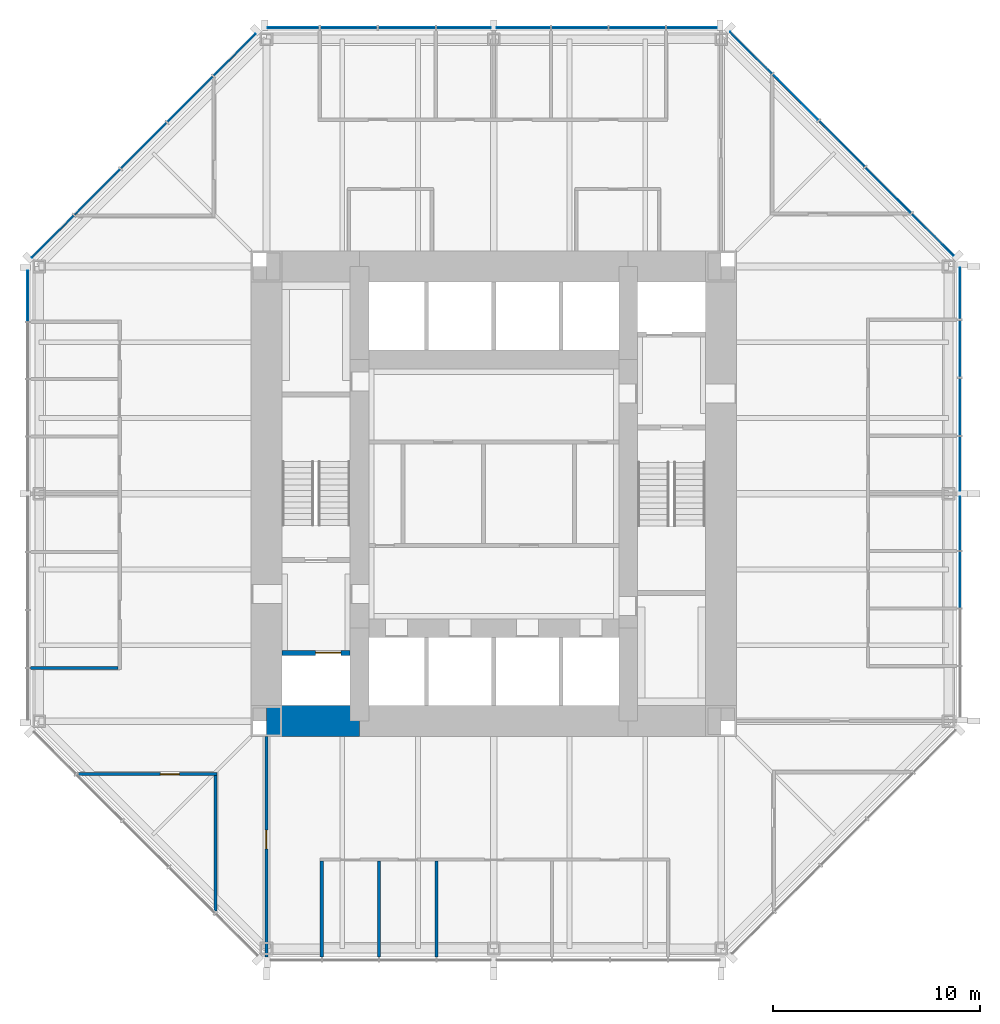
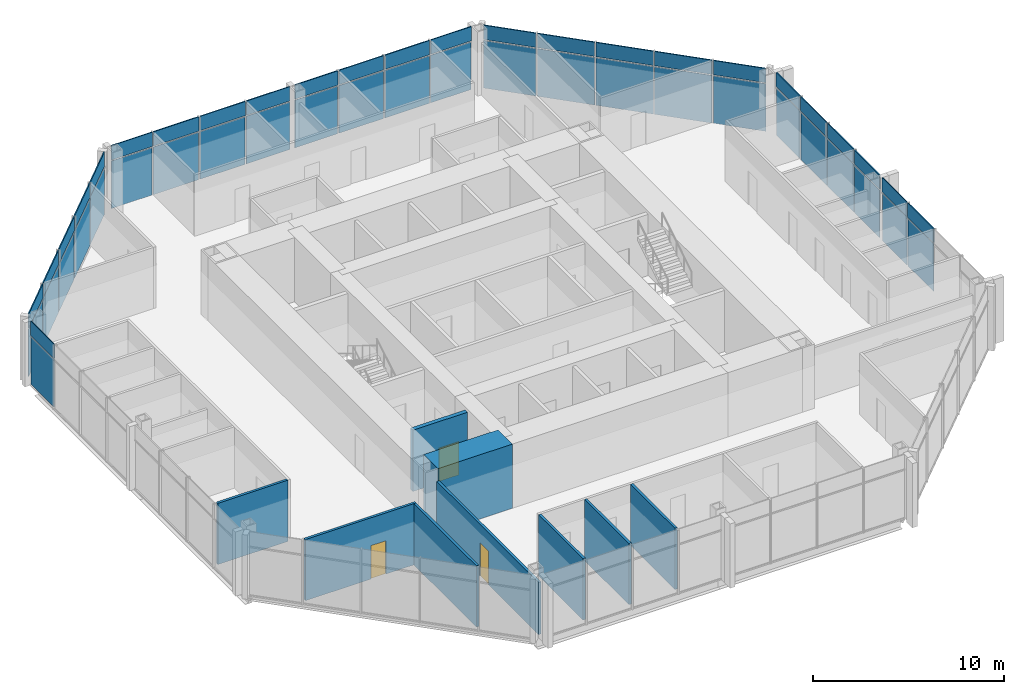
# One storey, part 8 of 12: 50 plates, 9 walls, 3 doors, 3 openings, 5 elements without a shape of their own.
"""IFC4 building model written with IfcOpenShell, lengths in metres."""

from ifc_helpers import new_model, si_unit, direction, frame, frame_2d, origin, origin_2d, place, context, subcontext, project, spatial, rectangle, extrude, material, layer, layer_set, type_object, element, fill, aggregate, save


model = new_model("IFC4")

# Units and contexts
model_context = context("Model", 3, precision=1e-05, world=origin(), true_north=direction((0.0, 1.0)))
body_context = subcontext(model_context, "Body", "Model", "MODEL_VIEW")
ifc_project = project(units=[si_unit("LENGTHUNIT", "METRE"), si_unit("AREAUNIT", "SQUARE_METRE"), si_unit("VOLUMEUNIT", "CUBIC_METRE"), si_unit("PLANEANGLEUNIT", "RADIAN"), si_unit("MASSUNIT", "GRAM", prefix="KILO")], contexts=[model_context])

# Site, building, storey
site_placement = place(None, origin())
site = spatial("IfcSite", under=ifc_project, at=site_placement, CompositionType="ELEMENT")
building_placement = place(site_placement, origin())
building = spatial("IfcBuilding", under=site, at=building_placement, Name="Trevanion Tower", CompositionType="ELEMENT")
storey_placement = place(building_placement, frame((0.0, 0.0, 170.5)))
storey = spatial("IfcBuildingStorey", under=building, at=storey_placement, Name="L40", CompositionType="ELEMENT", Elevation=170.5)

# Curtain wall, plates
ifc_material_1 = material(Name="Aluminium and glass", Category="aluminium")
curtain_wall_type = type_object("IfcCurtainWallType", Name="CW2 curtain wall", PredefinedType="USERDEFINED", material=ifc_material_1)
curtain_wall_1_placement = place(storey_placement, origin())
curtain_wall_1 = element("IfcCurtainWall", 1, at=curtain_wall_1_placement, inside=storey, type_object=curtain_wall_type, Name="CW2 L40 0", ObjectType="UNITISED CURTAIN WALL", PredefinedType="USERDEFINED")
ifc_material_2 = material(Name="Aluminium spandrel panel", Category="aluminium")
ifc_layer_1 = layer(ifc_material_2, 0.06005859375)
ifc_layer_set_1 = layer_set([ifc_layer_1], Name="CW2 spandrel panel")
plate_type_1 = type_object("IfcPlateType", Name="CW2 spandrel panel", PredefinedType="CURTAIN_PANEL", material=ifc_layer_set_1)
plate_1_placement = place(storey_placement, frame((22.550048828125, -4.16162109375, 2.99755859375), z_axis=(0.0, 0.0, 1.0), x_axis=(0.0, 1.0, 0.0)))
plate_1 = element("IfcPlate", 2, at=plate_1_placement, type_object=plate_type_1, Name="CW2 panel 3.2", PredefinedType="CURTAIN_PANEL", context=body_context, shape_type="SweptSolid", body=[
    extrude(rectangle(XDim=2.699462890625, YDim=0.06005859375, at=origin_2d()), origin(), (0.0, 0.0, 1.0), 0.91259765625),
])
plate_2_placement = place(storey_placement, frame((22.550048828125, -1.443603515625, 2.99755859375), z_axis=(0.0, 0.0, 1.0), x_axis=(0.0, 1.0, 0.0)))
plate_2 = element("IfcPlate", 3, at=plate_2_placement, type_object=plate_type_1, Name="CW2 panel 4.2", PredefinedType="CURTAIN_PANEL", context=body_context, shape_type="SweptSolid", body=[
    extrude(rectangle(XDim=2.5869140625, YDim=0.06005859375, at=origin_2d()), origin(), (0.0, 0.0, 1.0), 0.91259765625),
])
plate_3_placement = place(storey_placement, frame((22.550048828125, 1.459716796875, 2.99755859375), z_axis=(0.0, 0.0, 1.0), x_axis=(0.0, 1.0, 0.0)))
plate_3 = element("IfcPlate", 4, at=plate_3_placement, type_object=plate_type_1, Name="CW2 panel 5.2", PredefinedType="CURTAIN_PANEL", context=body_context, shape_type="SweptSolid", body=[
    extrude(rectangle(XDim=2.619384765625, YDim=0.06005859375, at=origin_2d()), origin(), (0.0, 0.0, 1.0), 0.91259765625),
])
plate_4_placement = place(storey_placement, frame((22.550048828125, 4.21044921875, 2.99755859375), z_axis=(0.0, 0.0, 1.0), x_axis=(0.0, 1.0, 0.0)))
plate_4 = element("IfcPlate", 5, at=plate_4_placement, type_object=plate_type_1, Name="CW2 panel 6.2", PredefinedType="CURTAIN_PANEL", context=body_context, shape_type="SweptSolid", body=[
    extrude(rectangle(XDim=2.73193359375, YDim=0.06005859375, at=origin_2d()), origin(), (0.0, 0.0, 1.0), 0.91259765625),
])
plate_5_placement = place(storey_placement, frame((22.550048828125, 7.017333984375, 2.99755859375), z_axis=(0.0, 0.0, 1.0), x_axis=(0.0, 1.0, 0.0)))
plate_5 = element("IfcPlate", 6, at=plate_5_placement, type_object=plate_type_1, Name="CW2 panel 7.2", PredefinedType="CURTAIN_PANEL", context=body_context, shape_type="SweptSolid", body=[
    extrude(rectangle(XDim=2.73193359375, YDim=0.06005859375, at=origin_2d()), origin(), (0.0, 0.0, 1.0), 0.91259765625),
])
plate_6_placement = place(storey_placement, frame((22.550048828125, 9.693115234375, 2.99755859375), z_axis=(0.0, 0.0, 1.0), x_axis=(0.0, 1.0, 0.0)))
plate_6 = element("IfcPlate", 7, at=plate_6_placement, type_object=plate_type_1, Name="CW2 panel 8.2", PredefinedType="CURTAIN_PANEL", context=body_context, shape_type="SweptSolid", body=[
    extrude(rectangle(XDim=2.469482421875, YDim=0.06005859375, at=origin_2d()), origin(), (0.0, 0.0, 1.0), 0.91259765625),
])

curtain_wall_2_placement = place(storey_placement, origin())
curtain_wall_2 = element("IfcCurtainWall", 8, at=curtain_wall_2_placement, inside=storey, type_object=curtain_wall_type, Name="CW2 L40 1", ObjectType="UNITISED CURTAIN WALL", PredefinedType="USERDEFINED")
plate_7_placement = place(storey_placement, frame((21.2421875, 12.53564453125, 2.99755859375), z_axis=(0.0, 0.0, 1.0), x_axis=(-0.707106781187, 0.707106781187, 0.0)))
plate_7 = element("IfcPlate", 9, at=plate_7_placement, type_object=plate_type_1, Name="CW2 panel 1.2", PredefinedType="CURTAIN_PANEL", context=body_context, shape_type="SweptSolid", body=[
    extrude(rectangle(XDim=2.8388671875, YDim=0.06005859375, at=origin_2d()), origin(), (0.0, 0.0, 1.0), 0.91259765625),
])
plate_8_placement = place(storey_placement, frame((19.089111328125, 14.688720703125, 2.99755859375), z_axis=(0.0, 0.0, 1.0), x_axis=(-0.707106781187, 0.707106781187, 0.0)))
plate_8 = element("IfcPlate", 10, at=plate_8_placement, type_object=plate_type_1, Name="CW2 panel 2.2", PredefinedType="CURTAIN_PANEL", context=body_context, shape_type="SweptSolid", body=[
    extrude(rectangle(XDim=3.101318359375, YDim=0.06005859375, at=origin_2d()), origin(), (0.0, 0.0, 1.0), 0.91259765625),
])
plate_9_placement = place(storey_placement, frame((16.843017578125, 16.934814453125, 2.99755859375), z_axis=(0.0, 0.0, 1.0), x_axis=(-0.707106781187, 0.707106781187, 0.0)))
plate_9 = element("IfcPlate", 11, at=plate_9_placement, type_object=plate_type_1, Name="CW2 panel 3.2", PredefinedType="CURTAIN_PANEL", context=body_context, shape_type="SweptSolid", body=[
    extrude(rectangle(XDim=3.101318359375, YDim=0.06005859375, at=origin_2d()), origin(), (0.0, 0.0, 1.0), 0.91259765625),
])
plate_10_placement = place(storey_placement, frame((14.596923828125, 19.180908203125, 2.99755859375), z_axis=(0.0, 0.0, 1.0), x_axis=(-0.707106781187, 0.707106781187, 0.0)))
plate_10 = element("IfcPlate", 12, at=plate_10_placement, type_object=plate_type_1, Name="CW2 panel 4.2", PredefinedType="CURTAIN_PANEL", context=body_context, shape_type="SweptSolid", body=[
    extrude(rectangle(XDim=3.101318359375, YDim=0.06005859375, at=origin_2d()), origin(), (0.0, 0.0, 1.0), 0.91259765625),
])
plate_11_placement = place(storey_placement, frame((12.443603515625, 21.334228515625, 2.99755859375), z_axis=(0.0, 0.0, 1.0), x_axis=(-0.707106781187, 0.707106781187, 0.0)))
plate_11 = element("IfcPlate", 13, at=plate_11_placement, type_object=plate_type_1, Name="CW2 panel 5.2", PredefinedType="CURTAIN_PANEL", context=body_context, shape_type="SweptSolid", body=[
    extrude(rectangle(XDim=2.8388671875, YDim=0.06005859375, at=origin_2d()), origin(), (0.0, 0.0, 1.0), 0.91259765625),
])

curtain_wall_3_placement = place(storey_placement, origin())
curtain_wall_3 = element("IfcCurtainWall", 14, at=curtain_wall_3_placement, inside=storey, type_object=curtain_wall_type, Name="CW2 L40 2", ObjectType="UNITISED CURTAIN WALL", PredefinedType="USERDEFINED")
plate_12_placement = place(storey_placement, frame((9.579345703125, 22.550048828125, 2.99755859375), z_axis=(0.0, 0.0, 1.0), x_axis=(-1.0, 0.0, 0.0)))
plate_12 = element("IfcPlate", 15, at=plate_12_placement, type_object=plate_type_1, Name="CW2 panel 1.2", PredefinedType="CURTAIN_PANEL", context=body_context, shape_type="SweptSolid", body=[
    extrude(rectangle(XDim=2.43701171875, YDim=0.06005859375, at=origin_2d()), origin(), (0.0, 0.0, 1.0), 0.91259765625),
])
plate_13_placement = place(storey_placement, frame((6.93603515625, 22.550048828125, 2.99755859375), z_axis=(0.0, 0.0, 1.0), x_axis=(-1.0, 0.0, 0.0)))
plate_13 = element("IfcPlate", 16, at=plate_13_placement, type_object=plate_type_1, Name="CW2 panel 2.2", PredefinedType="CURTAIN_PANEL", context=body_context, shape_type="SweptSolid", body=[
    extrude(rectangle(XDim=2.699462890625, YDim=0.06005859375, at=origin_2d()), origin(), (0.0, 0.0, 1.0), 0.91259765625),
])
plate_14_placement = place(storey_placement, frame((4.16162109375, 22.550048828125, 2.99755859375), z_axis=(0.0, 0.0, 1.0), x_axis=(-1.0, 0.0, 0.0)))
plate_14 = element("IfcPlate", 17, at=plate_14_placement, type_object=plate_type_1, Name="CW2 panel 3.2", PredefinedType="CURTAIN_PANEL", context=body_context, shape_type="SweptSolid", body=[
    extrude(rectangle(XDim=2.699462890625, YDim=0.06005859375, at=origin_2d()), origin(), (0.0, 0.0, 1.0), 0.91259765625),
])
plate_15_placement = place(storey_placement, frame((1.443603515625, 22.550048828125, 2.99755859375), z_axis=(0.0, 0.0, 1.0), x_axis=(-1.0, 0.0, 0.0)))
plate_15 = element("IfcPlate", 18, at=plate_15_placement, type_object=plate_type_1, Name="CW2 panel 4.2", PredefinedType="CURTAIN_PANEL", context=body_context, shape_type="SweptSolid", body=[
    extrude(rectangle(XDim=2.5869140625, YDim=0.06005859375, at=origin_2d()), origin(), (0.0, 0.0, 1.0), 0.91259765625),
])
plate_16_placement = place(storey_placement, frame((-1.459716796875, 22.550048828125, 2.99755859375), z_axis=(0.0, 0.0, 1.0), x_axis=(-1.0, 0.0, 0.0)))
plate_16 = element("IfcPlate", 19, at=plate_16_placement, type_object=plate_type_1, Name="CW2 panel 5.2", PredefinedType="CURTAIN_PANEL", context=body_context, shape_type="SweptSolid", body=[
    extrude(rectangle(XDim=2.619384765625, YDim=0.06005859375, at=origin_2d()), origin(), (0.0, 0.0, 1.0), 0.91259765625),
])
plate_17_placement = place(storey_placement, frame((-4.21044921875, 22.550048828125, 2.99755859375), z_axis=(0.0, 0.0, 1.0), x_axis=(-1.0, 0.0, 0.0)))
plate_17 = element("IfcPlate", 20, at=plate_17_placement, type_object=plate_type_1, Name="CW2 panel 6.2", PredefinedType="CURTAIN_PANEL", context=body_context, shape_type="SweptSolid", body=[
    extrude(rectangle(XDim=2.73193359375, YDim=0.06005859375, at=origin_2d()), origin(), (0.0, 0.0, 1.0), 0.91259765625),
])
plate_18_placement = place(storey_placement, frame((-7.017333984375, 22.550048828125, 2.99755859375), z_axis=(0.0, 0.0, 1.0), x_axis=(-1.0, 0.0, 0.0)))
plate_18 = element("IfcPlate", 21, at=plate_18_placement, type_object=plate_type_1, Name="CW2 panel 7.2", PredefinedType="CURTAIN_PANEL", context=body_context, shape_type="SweptSolid", body=[
    extrude(rectangle(XDim=2.73193359375, YDim=0.06005859375, at=origin_2d()), origin(), (0.0, 0.0, 1.0), 0.91259765625),
])
plate_19_placement = place(storey_placement, frame((-9.693115234375, 22.550048828125, 2.99755859375), z_axis=(0.0, 0.0, 1.0), x_axis=(-1.0, 0.0, 0.0)))
plate_19 = element("IfcPlate", 22, at=plate_19_placement, type_object=plate_type_1, Name="CW2 panel 8.2", PredefinedType="CURTAIN_PANEL", context=body_context, shape_type="SweptSolid", body=[
    extrude(rectangle(XDim=2.469482421875, YDim=0.06005859375, at=origin_2d()), origin(), (0.0, 0.0, 1.0), 0.91259765625),
])

curtain_wall_4_placement = place(storey_placement, origin())
curtain_wall_4 = element("IfcCurtainWall", 23, at=curtain_wall_4_placement, inside=storey, type_object=curtain_wall_type, Name="CW2 L40 3", ObjectType="UNITISED CURTAIN WALL", PredefinedType="USERDEFINED")
plate_20_placement = place(storey_placement, frame((-12.53564453125, 21.2421875, 2.99755859375), z_axis=(0.0, 0.0, 1.0), x_axis=(-0.707106781187, -0.707106781187, 0.0)))
plate_20 = element("IfcPlate", 24, at=plate_20_placement, type_object=plate_type_1, Name="CW2 panel 1.2", PredefinedType="CURTAIN_PANEL", context=body_context, shape_type="SweptSolid", body=[
    extrude(rectangle(XDim=2.8388671875, YDim=0.06005859375, at=origin_2d()), origin(), (0.0, 0.0, 1.0), 0.91259765625),
])
plate_21_placement = place(storey_placement, frame((-14.688720703125, 19.089111328125, 2.99755859375), z_axis=(0.0, 0.0, 1.0), x_axis=(-0.707106781187, -0.707106781187, 0.0)))
plate_21 = element("IfcPlate", 25, at=plate_21_placement, type_object=plate_type_1, Name="CW2 panel 2.2", PredefinedType="CURTAIN_PANEL", context=body_context, shape_type="SweptSolid", body=[
    extrude(rectangle(XDim=3.101318359375, YDim=0.06005859375, at=origin_2d()), origin(), (0.0, 0.0, 1.0), 0.91259765625),
])
plate_22_placement = place(storey_placement, frame((-16.934814453125, 16.843017578125, 2.99755859375), z_axis=(0.0, 0.0, 1.0), x_axis=(-0.707106781187, -0.707106781187, 0.0)))
plate_22 = element("IfcPlate", 26, at=plate_22_placement, type_object=plate_type_1, Name="CW2 panel 3.2", PredefinedType="CURTAIN_PANEL", context=body_context, shape_type="SweptSolid", body=[
    extrude(rectangle(XDim=3.101318359375, YDim=0.06005859375, at=origin_2d()), origin(), (0.0, 0.0, 1.0), 0.91259765625),
])
plate_23_placement = place(storey_placement, frame((-19.180908203125, 14.596923828125, 2.99755859375), z_axis=(0.0, 0.0, 1.0), x_axis=(-0.707106781187, -0.707106781187, 0.0)))
plate_23 = element("IfcPlate", 27, at=plate_23_placement, type_object=plate_type_1, Name="CW2 panel 4.2", PredefinedType="CURTAIN_PANEL", context=body_context, shape_type="SweptSolid", body=[
    extrude(rectangle(XDim=3.101318359375, YDim=0.06005859375, at=origin_2d()), origin(), (0.0, 0.0, 1.0), 0.91259765625),
])
plate_24_placement = place(storey_placement, frame((-21.334228515625, 12.443603515625, 2.99755859375), z_axis=(0.0, 0.0, 1.0), x_axis=(-0.707106781187, -0.707106781187, 0.0)))
plate_24 = element("IfcPlate", 28, at=plate_24_placement, type_object=plate_type_1, Name="CW2 panel 5.2", PredefinedType="CURTAIN_PANEL", context=body_context, shape_type="SweptSolid", body=[
    extrude(rectangle(XDim=2.8388671875, YDim=0.06005859375, at=origin_2d()), origin(), (0.0, 0.0, 1.0), 0.91259765625),
])

# Curtain wall, plate
curtain_wall_5_placement = place(storey_placement, origin())
curtain_wall_5 = element("IfcCurtainWall", 29, at=curtain_wall_5_placement, inside=storey, type_object=curtain_wall_type, Name="CW2 L40 4", ObjectType="UNITISED CURTAIN WALL", PredefinedType="USERDEFINED")
plate_25_placement = place(storey_placement, frame((-22.550048828125, 9.579345703125, 2.99755859375), z_axis=(0.0, 0.0, 1.0), x_axis=(0.0, -1.0, 0.0)))
plate_25 = element("IfcPlate", 30, at=plate_25_placement, type_object=plate_type_1, Name="CW2 panel 1.2", PredefinedType="CURTAIN_PANEL", context=body_context, shape_type="SweptSolid", body=[
    extrude(rectangle(XDim=2.43701171875, YDim=0.06005859375, at=origin_2d()), origin(), (0.0, 0.0, 1.0), 0.91259765625),
])

# Plate
ifc_material_3 = material(Name="Insulating glass unit", Category="glass")
ifc_layer_2 = layer(ifc_material_3, 0.028076171875)
ifc_layer_set_2 = layer_set([ifc_layer_2], Name="CW2 vision panel")
plate_type_2 = type_object("IfcPlateType", Name="CW2 vision panel", PredefinedType="CURTAIN_PANEL", material=ifc_layer_set_2)
plate_26_placement = place(storey_placement, frame((22.550048828125, -4.16162109375, -0.114990234375), z_axis=(0.0, 0.0, 1.0), x_axis=(0.0, 1.0, 0.0)))
plate_26 = element("IfcPlate", 31, at=plate_26_placement, type_object=plate_type_2, Name="CW2 panel 3.1", PredefinedType="CURTAIN_PANEL", context=body_context, shape_type="SweptSolid", body=[
    extrude(rectangle(XDim=2.699462890625, YDim=0.028076171875, at=origin_2d()), origin(), (0.0, 0.0, 1.0), 3.03759765625),
])

plate_27_placement = place(storey_placement, frame((22.550048828125, -1.443603515625, -0.114990234375), z_axis=(0.0, 0.0, 1.0), x_axis=(0.0, 1.0, 0.0)))
plate_27 = element("IfcPlate", 32, at=plate_27_placement, type_object=plate_type_2, Name="CW2 panel 4.1", PredefinedType="CURTAIN_PANEL", context=body_context, shape_type="SweptSolid", body=[
    extrude(rectangle(XDim=2.5869140625, YDim=0.028076171875, at=origin_2d()), origin(), (0.0, 0.0, 1.0), 3.03759765625),
])

plate_28_placement = place(storey_placement, frame((22.550048828125, 1.459716796875, -0.114990234375), z_axis=(0.0, 0.0, 1.0), x_axis=(0.0, 1.0, 0.0)))
plate_28 = element("IfcPlate", 33, at=plate_28_placement, type_object=plate_type_2, Name="CW2 panel 5.1", PredefinedType="CURTAIN_PANEL", context=body_context, shape_type="SweptSolid", body=[
    extrude(rectangle(XDim=2.619384765625, YDim=0.028076171875, at=origin_2d()), origin(), (0.0, 0.0, 1.0), 3.03759765625),
])

plate_29_placement = place(storey_placement, frame((22.550048828125, 4.21044921875, -0.114990234375), z_axis=(0.0, 0.0, 1.0), x_axis=(0.0, 1.0, 0.0)))
plate_29 = element("IfcPlate", 34, at=plate_29_placement, type_object=plate_type_2, Name="CW2 panel 6.1", PredefinedType="CURTAIN_PANEL", context=body_context, shape_type="SweptSolid", body=[
    extrude(rectangle(XDim=2.73193359375, YDim=0.028076171875, at=origin_2d()), origin(), (0.0, 0.0, 1.0), 3.03759765625),
])

plate_30_placement = place(storey_placement, frame((22.550048828125, 7.017333984375, -0.114990234375), z_axis=(0.0, 0.0, 1.0), x_axis=(0.0, 1.0, 0.0)))
plate_30 = element("IfcPlate", 35, at=plate_30_placement, type_object=plate_type_2, Name="CW2 panel 7.1", PredefinedType="CURTAIN_PANEL", context=body_context, shape_type="SweptSolid", body=[
    extrude(rectangle(XDim=2.73193359375, YDim=0.028076171875, at=origin_2d()), origin(), (0.0, 0.0, 1.0), 3.03759765625),
])

plate_31_placement = place(storey_placement, frame((22.550048828125, 9.693115234375, -0.114990234375), z_axis=(0.0, 0.0, 1.0), x_axis=(0.0, 1.0, 0.0)))
plate_31 = element("IfcPlate", 36, at=plate_31_placement, type_object=plate_type_2, Name="CW2 panel 8.1", PredefinedType="CURTAIN_PANEL", context=body_context, shape_type="SweptSolid", body=[
    extrude(rectangle(XDim=2.469482421875, YDim=0.028076171875, at=origin_2d()), origin(), (0.0, 0.0, 1.0), 3.03759765625),
])

aggregate(curtain_wall_1, [plate_26, plate_1, plate_27, plate_2, plate_28, plate_3, plate_29, plate_4, plate_30, plate_5, plate_31, plate_6])

plate_32_placement = place(storey_placement, frame((21.2421875, 12.53564453125, -0.114990234375), z_axis=(0.0, 0.0, 1.0), x_axis=(-0.707106781187, 0.707106781187, 0.0)))
plate_32 = element("IfcPlate", 37, at=plate_32_placement, type_object=plate_type_2, Name="CW2 panel 1.1", PredefinedType="CURTAIN_PANEL", context=body_context, shape_type="SweptSolid", body=[
    extrude(rectangle(XDim=2.8388671875, YDim=0.028076171875, at=origin_2d()), origin(), (0.0, 0.0, 1.0), 3.03759765625),
])

plate_33_placement = place(storey_placement, frame((19.089111328125, 14.688720703125, -0.114990234375), z_axis=(0.0, 0.0, 1.0), x_axis=(-0.707106781187, 0.707106781187, 0.0)))
plate_33 = element("IfcPlate", 38, at=plate_33_placement, type_object=plate_type_2, Name="CW2 panel 2.1", PredefinedType="CURTAIN_PANEL", context=body_context, shape_type="SweptSolid", body=[
    extrude(rectangle(XDim=3.101318359375, YDim=0.028076171875, at=origin_2d()), origin(), (0.0, 0.0, 1.0), 3.03759765625),
])

plate_34_placement = place(storey_placement, frame((16.843017578125, 16.934814453125, -0.114990234375), z_axis=(0.0, 0.0, 1.0), x_axis=(-0.707106781187, 0.707106781187, 0.0)))
plate_34 = element("IfcPlate", 39, at=plate_34_placement, type_object=plate_type_2, Name="CW2 panel 3.1", PredefinedType="CURTAIN_PANEL", context=body_context, shape_type="SweptSolid", body=[
    extrude(rectangle(XDim=3.101318359375, YDim=0.028076171875, at=origin_2d()), origin(), (0.0, 0.0, 1.0), 3.03759765625),
])

plate_35_placement = place(storey_placement, frame((14.596923828125, 19.180908203125, -0.114990234375), z_axis=(0.0, 0.0, 1.0), x_axis=(-0.707106781187, 0.707106781187, 0.0)))
plate_35 = element("IfcPlate", 40, at=plate_35_placement, type_object=plate_type_2, Name="CW2 panel 4.1", PredefinedType="CURTAIN_PANEL", context=body_context, shape_type="SweptSolid", body=[
    extrude(rectangle(XDim=3.101318359375, YDim=0.028076171875, at=origin_2d()), origin(), (0.0, 0.0, 1.0), 3.03759765625),
])

plate_36_placement = place(storey_placement, frame((12.443603515625, 21.334228515625, -0.114990234375), z_axis=(0.0, 0.0, 1.0), x_axis=(-0.707106781187, 0.707106781187, 0.0)))
plate_36 = element("IfcPlate", 41, at=plate_36_placement, type_object=plate_type_2, Name="CW2 panel 5.1", PredefinedType="CURTAIN_PANEL", context=body_context, shape_type="SweptSolid", body=[
    extrude(rectangle(XDim=2.8388671875, YDim=0.028076171875, at=origin_2d()), origin(), (0.0, 0.0, 1.0), 3.03759765625),
])

aggregate(curtain_wall_2, [plate_32, plate_7, plate_33, plate_8, plate_34, plate_9, plate_35, plate_10, plate_36, plate_11])

plate_37_placement = place(storey_placement, frame((9.579345703125, 22.550048828125, -0.114990234375), z_axis=(0.0, 0.0, 1.0), x_axis=(-1.0, 0.0, 0.0)))
plate_37 = element("IfcPlate", 42, at=plate_37_placement, type_object=plate_type_2, Name="CW2 panel 1.1", PredefinedType="CURTAIN_PANEL", context=body_context, shape_type="SweptSolid", body=[
    extrude(rectangle(XDim=2.43701171875, YDim=0.028076171875, at=origin_2d()), origin(), (0.0, 0.0, 1.0), 3.03759765625),
])

plate_38_placement = place(storey_placement, frame((6.93603515625, 22.550048828125, -0.114990234375), z_axis=(0.0, 0.0, 1.0), x_axis=(-1.0, 0.0, 0.0)))
plate_38 = element("IfcPlate", 43, at=plate_38_placement, type_object=plate_type_2, Name="CW2 panel 2.1", PredefinedType="CURTAIN_PANEL", context=body_context, shape_type="SweptSolid", body=[
    extrude(rectangle(XDim=2.699462890625, YDim=0.028076171875, at=origin_2d()), origin(), (0.0, 0.0, 1.0), 3.03759765625),
])

plate_39_placement = place(storey_placement, frame((4.16162109375, 22.550048828125, -0.114990234375), z_axis=(0.0, 0.0, 1.0), x_axis=(-1.0, 0.0, 0.0)))
plate_39 = element("IfcPlate", 44, at=plate_39_placement, type_object=plate_type_2, Name="CW2 panel 3.1", PredefinedType="CURTAIN_PANEL", context=body_context, shape_type="SweptSolid", body=[
    extrude(rectangle(XDim=2.699462890625, YDim=0.028076171875, at=origin_2d()), origin(), (0.0, 0.0, 1.0), 3.03759765625),
])

plate_40_placement = place(storey_placement, frame((1.443603515625, 22.550048828125, -0.114990234375), z_axis=(0.0, 0.0, 1.0), x_axis=(-1.0, 0.0, 0.0)))
plate_40 = element("IfcPlate", 45, at=plate_40_placement, type_object=plate_type_2, Name="CW2 panel 4.1", PredefinedType="CURTAIN_PANEL", context=body_context, shape_type="SweptSolid", body=[
    extrude(rectangle(XDim=2.5869140625, YDim=0.028076171875, at=origin_2d()), origin(), (0.0, 0.0, 1.0), 3.03759765625),
])

plate_41_placement = place(storey_placement, frame((-1.459716796875, 22.550048828125, -0.114990234375), z_axis=(0.0, 0.0, 1.0), x_axis=(-1.0, 0.0, 0.0)))
plate_41 = element("IfcPlate", 46, at=plate_41_placement, type_object=plate_type_2, Name="CW2 panel 5.1", PredefinedType="CURTAIN_PANEL", context=body_context, shape_type="SweptSolid", body=[
    extrude(rectangle(XDim=2.619384765625, YDim=0.028076171875, at=origin_2d()), origin(), (0.0, 0.0, 1.0), 3.03759765625),
])

plate_42_placement = place(storey_placement, frame((-4.21044921875, 22.550048828125, -0.114990234375), z_axis=(0.0, 0.0, 1.0), x_axis=(-1.0, 0.0, 0.0)))
plate_42 = element("IfcPlate", 47, at=plate_42_placement, type_object=plate_type_2, Name="CW2 panel 6.1", PredefinedType="CURTAIN_PANEL", context=body_context, shape_type="SweptSolid", body=[
    extrude(rectangle(XDim=2.73193359375, YDim=0.028076171875, at=origin_2d()), origin(), (0.0, 0.0, 1.0), 3.03759765625),
])

plate_43_placement = place(storey_placement, frame((-7.017333984375, 22.550048828125, -0.114990234375), z_axis=(0.0, 0.0, 1.0), x_axis=(-1.0, 0.0, 0.0)))
plate_43 = element("IfcPlate", 48, at=plate_43_placement, type_object=plate_type_2, Name="CW2 panel 7.1", PredefinedType="CURTAIN_PANEL", context=body_context, shape_type="SweptSolid", body=[
    extrude(rectangle(XDim=2.73193359375, YDim=0.028076171875, at=origin_2d()), origin(), (0.0, 0.0, 1.0), 3.03759765625),
])

plate_44_placement = place(storey_placement, frame((-9.693115234375, 22.550048828125, -0.114990234375), z_axis=(0.0, 0.0, 1.0), x_axis=(-1.0, 0.0, 0.0)))
plate_44 = element("IfcPlate", 49, at=plate_44_placement, type_object=plate_type_2, Name="CW2 panel 8.1", PredefinedType="CURTAIN_PANEL", context=body_context, shape_type="SweptSolid", body=[
    extrude(rectangle(XDim=2.469482421875, YDim=0.028076171875, at=origin_2d()), origin(), (0.0, 0.0, 1.0), 3.03759765625),
])

aggregate(curtain_wall_3, [plate_37, plate_12, plate_38, plate_13, plate_39, plate_14, plate_40, plate_15, plate_41, plate_16, plate_42, plate_17, plate_43, plate_18, plate_44, plate_19])

plate_45_placement = place(storey_placement, frame((-12.53564453125, 21.2421875, -0.114990234375), z_axis=(0.0, 0.0, 1.0), x_axis=(-0.707106781187, -0.707106781187, 0.0)))
plate_45 = element("IfcPlate", 50, at=plate_45_placement, type_object=plate_type_2, Name="CW2 panel 1.1", PredefinedType="CURTAIN_PANEL", context=body_context, shape_type="SweptSolid", body=[
    extrude(rectangle(XDim=2.8388671875, YDim=0.028076171875, at=origin_2d()), origin(), (0.0, 0.0, 1.0), 3.03759765625),
])

plate_46_placement = place(storey_placement, frame((-14.688720703125, 19.089111328125, -0.114990234375), z_axis=(0.0, 0.0, 1.0), x_axis=(-0.707106781187, -0.707106781187, 0.0)))
plate_46 = element("IfcPlate", 51, at=plate_46_placement, type_object=plate_type_2, Name="CW2 panel 2.1", PredefinedType="CURTAIN_PANEL", context=body_context, shape_type="SweptSolid", body=[
    extrude(rectangle(XDim=3.101318359375, YDim=0.028076171875, at=origin_2d()), origin(), (0.0, 0.0, 1.0), 3.03759765625),
])

plate_47_placement = place(storey_placement, frame((-16.934814453125, 16.843017578125, -0.114990234375), z_axis=(0.0, 0.0, 1.0), x_axis=(-0.707106781187, -0.707106781187, 0.0)))
plate_47 = element("IfcPlate", 52, at=plate_47_placement, type_object=plate_type_2, Name="CW2 panel 3.1", PredefinedType="CURTAIN_PANEL", context=body_context, shape_type="SweptSolid", body=[
    extrude(rectangle(XDim=3.101318359375, YDim=0.028076171875, at=origin_2d()), origin(), (0.0, 0.0, 1.0), 3.03759765625),
])

plate_48_placement = place(storey_placement, frame((-19.180908203125, 14.596923828125, -0.114990234375), z_axis=(0.0, 0.0, 1.0), x_axis=(-0.707106781187, -0.707106781187, 0.0)))
plate_48 = element("IfcPlate", 53, at=plate_48_placement, type_object=plate_type_2, Name="CW2 panel 4.1", PredefinedType="CURTAIN_PANEL", context=body_context, shape_type="SweptSolid", body=[
    extrude(rectangle(XDim=3.101318359375, YDim=0.028076171875, at=origin_2d()), origin(), (0.0, 0.0, 1.0), 3.03759765625),
])

plate_49_placement = place(storey_placement, frame((-21.334228515625, 12.443603515625, -0.114990234375), z_axis=(0.0, 0.0, 1.0), x_axis=(-0.707106781187, -0.707106781187, 0.0)))
plate_49 = element("IfcPlate", 54, at=plate_49_placement, type_object=plate_type_2, Name="CW2 panel 5.1", PredefinedType="CURTAIN_PANEL", context=body_context, shape_type="SweptSolid", body=[
    extrude(rectangle(XDim=2.8388671875, YDim=0.028076171875, at=origin_2d()), origin(), (0.0, 0.0, 1.0), 3.03759765625),
])

aggregate(curtain_wall_4, [plate_45, plate_20, plate_46, plate_21, plate_47, plate_22, plate_48, plate_23, plate_49, plate_24])

plate_50_placement = place(storey_placement, frame((-22.550048828125, 9.579345703125, -0.114990234375), z_axis=(0.0, 0.0, 1.0), x_axis=(0.0, -1.0, 0.0)))
plate_50 = element("IfcPlate", 55, at=plate_50_placement, type_object=plate_type_2, Name="CW2 panel 1.1", PredefinedType="CURTAIN_PANEL", context=body_context, shape_type="SweptSolid", body=[
    extrude(rectangle(XDim=2.43701171875, YDim=0.028076171875, at=origin_2d()), origin(), (0.0, 0.0, 1.0), 3.03759765625),
])

aggregate(curtain_wall_5, [plate_50, plate_25])

# Wall
ifc_material_4 = material(Name="Concrete 10,000 psi", Category="concrete")
ifc_layer_3 = layer(ifc_material_4, 1.5)
ifc_layer_set_3 = layer_set([ifc_layer_3], Name="CW1 core wall 1500")
wall_type_1 = type_object("IfcWallType", Name="CW1 core wall 1500", PredefinedType="SHEAR", material=ifc_layer_set_3)
wall_1_placement = place(storey_placement, frame((-11.0, -11.0, 0.0), z_axis=(0.0, 0.0, 1.0), x_axis=(1.0, 0.0, 0.0)))
element("IfcWall", 56, at=wall_1_placement, inside=storey, type_object=wall_type_1, Name="CW1 CS1 L40", PredefinedType="SHEAR", context=body_context, shape_type="SweptSolid", body=[
    extrude(rectangle(XDim=4.5, YDim=1.5, at=frame_2d((2.25, 0.0))), origin(), (0.0, 0.0, 1.0), 4.10009765625),
])

# Wall, opening, door
ifc_material_5 = material(Name="Gypsum board on steel studs", Category="steel")
ifc_layer_4 = layer(ifc_material_5, 0.14990234375)
ifc_layer_set_4 = layer_set([ifc_layer_4], Name="PT1 partition 150")
wall_type_2 = type_object("IfcWallType", Name="PT1 partition 150", PredefinedType="PARTITIONING", material=ifc_layer_set_4)
wall_2_placement = place(storey_placement, frame((-11.0, -11.75, 0.0), z_axis=(0.0, 0.0, 1.0), x_axis=(0.0, -1.0, 0.0)))
wall_2 = element("IfcWall", 57, at=wall_2_placement, inside=storey, type_object=wall_type_2, Name="PT1 L40 ZW2", PredefinedType="PARTITIONING", context=body_context, shape_type="SweptSolid", body=[
    extrude(rectangle(XDim=10.6650390625, YDim=0.14990234375, at=frame_2d((5.33251953125, 0.0))), origin(), (0.0, 0.0, 1.0), 3.32568359375),
])
opening_1_placement = place(wall_2_placement, frame((4.517578125, 0.0, 0.0)))
opening_1 = element("IfcOpeningElement", 58, at=opening_1_placement, cuts=wall_2, Name="Opening 40-020", PredefinedType="OPENING", context=body_context, shape_type="SweptSolid", body=[
    extrude(rectangle(XDim=0.9150390625, YDim=2.134033203125, at=frame_2d((0.45751953125, 1.06689453125))), frame((0.0, 0.0849609375, 0.0), z_axis=(0.0, -1.0, 0.0), x_axis=(1.0, 0.0, 0.0)), (0.0, 0.0, 1.0), 0.169921875),
])
ifc_material_6 = material(Name="Timber veneer, solid core", Category="wood")
door_type_1 = type_object("IfcDoorType", Name="D1 office and meeting room door", OperationType="SINGLE_SWING_LEFT", PredefinedType="DOOR", material=ifc_material_6)
door_1_placement = place(opening_1_placement, origin())
door_1 = element("IfcDoor", 59, at=door_1_placement, inside=storey, type_object=door_type_1, Name="Door 40-020", OperationType="SINGLE_SWING_LEFT", OverallHeight=2.134033203125, OverallWidth=0.9150390625, PredefinedType="DOOR", context=body_context, shape_type="SweptSolid", body=[
    extrude(rectangle(XDim=0.9150390625, YDim=2.134033203125, at=frame_2d((0.45751953125, 1.06689453125))), frame((0.0, 0.02490234375, 0.0), z_axis=(0.0, -1.0, 0.0), x_axis=(1.0, 0.0, 0.0)), (0.0, 0.0, 1.0), 0.050048828125),
])
fill(opening_1, door_1)

wall_3_placement = place(storey_placement, frame((-13.39892578125, -13.56591796875, 0.0), z_axis=(0.0, 0.0, 1.0), x_axis=(-1.0, 0.0, 0.0)))
wall_3 = element("IfcWall", 60, at=wall_3_placement, inside=storey, type_object=wall_type_2, Name="PT1 L40 KW2a", PredefinedType="PARTITIONING", context=body_context, shape_type="SweptSolid", body=[
    extrude(rectangle(XDim=6.697998046875, YDim=0.14990234375, at=frame_2d((3.34912109375, 0.0))), origin(), (0.0, 0.0, 1.0), 3.909912109375),
])
opening_2_placement = place(wall_3_placement, frame((1.8173828125, 0.0, 0.0)))
opening_2 = element("IfcOpeningElement", 61, at=opening_2_placement, cuts=wall_3, Name="Opening 40-024", PredefinedType="OPENING", context=body_context, shape_type="SweptSolid", body=[
    extrude(rectangle(XDim=0.9150390625, YDim=2.134033203125, at=frame_2d((0.45751953125, 1.06689453125))), frame((0.0, 0.0849609375, 0.0), z_axis=(0.0, -1.0, 0.0), x_axis=(1.0, 0.0, 0.0)), (0.0, 0.0, 1.0), 0.169921875),
])
door_2_placement = place(opening_2_placement, origin())
door_2 = element("IfcDoor", 62, at=door_2_placement, inside=storey, type_object=door_type_1, Name="Door 40-024", OperationType="SINGLE_SWING_LEFT", OverallHeight=2.134033203125, OverallWidth=0.9150390625, PredefinedType="DOOR", context=body_context, shape_type="SweptSolid", body=[
    extrude(rectangle(XDim=0.9150390625, YDim=2.134033203125, at=frame_2d((0.45751953125, 1.06689453125))), frame((0.0, 0.02490234375, 0.0), z_axis=(0.0, -1.0, 0.0), x_axis=(1.0, 0.0, 0.0)), (0.0, 0.0, 1.0), 0.050048828125),
])
fill(opening_2, door_2)

# Walls
wall_4_placement = place(storey_placement, frame((-13.47412109375, -13.64111328125, 0.0), z_axis=(0.0, 0.0, 1.0), x_axis=(0.0, -1.0, 0.0)))
element("IfcWall", 63, at=wall_4_placement, inside=storey, type_object=wall_type_2, Name="PT1 L40 KW2b", PredefinedType="PARTITIONING", context=body_context, shape_type="SweptSolid", body=[
    extrude(rectangle(XDim=6.5478515625, YDim=0.14990234375, at=frame_2d((3.27392578125, 0.0))), origin(), (0.0, 0.0, 1.0), 3.909912109375),
])
wall_5_placement = place(storey_placement, frame((-18.175048828125, -8.4208984375, 0.0), z_axis=(0.0, 0.0, 1.0), x_axis=(-1.0, 0.0, 0.0)))
element("IfcWall", 64, at=wall_5_placement, inside=storey, type_object=wall_type_2, Name="PT1 L40 FC2S6", PredefinedType="PARTITIONING", context=body_context, shape_type="SweptSolid", body=[
    extrude(rectangle(XDim=4.239990234375, YDim=0.14990234375, at=frame_2d((2.1201171875, 0.0))), origin(), (0.0, 0.0, 1.0), 3.909912109375),
])
for number, where, z_axis, x_axis, name in (
    (65, (-8.322998046875, -17.77490234375, 0.0), (0.0, 0.0, 1.0), (0.0, -1.0, 0.0), "PT1 L40 FC3S0"),
    (66, (-5.549072265625, -17.77490234375, 0.0), (0.0, 0.0, 1.0), (0.0, -1.0, 0.0), "PT1 L40 FC3S1"),
    (67, (-2.77490234375, -17.77490234375, 0.0), (0.0, 0.0, 1.0), (0.0, -1.0, 0.0), "PT1 L40 FC3S2"),
):
    element("IfcWall", number, at=place(storey_placement, frame(where, z_axis=z_axis, x_axis=x_axis)), inside=storey, type_object=wall_type_2, Name=name, PredefinedType="PARTITIONING", context=body_context, shape_type="SweptSolid", body=[
        extrude(rectangle(XDim=4.64013671875, YDim=0.14990234375, at=frame_2d((2.320068359375, 0.0))), origin(), (0.0, 0.0, 1.0), 3.909912109375),
    ])

# Wall, opening, door
ifc_material_7 = material(Name="Concrete masonry, grouted, two-hour", Category="masonry")
ifc_layer_5 = layer(ifc_material_7, 0.25)
ifc_layer_set_5 = layer_set([ifc_layer_5], Name="PT3 partition 250 2 HR")
wall_type_3 = type_object("IfcWallType", Name="PT3 partition 250 2 HR", PredefinedType="PARTITIONING", material=ifc_layer_set_5)
wall_6_placement = place(storey_placement, frame((-6.949951171875, -7.699951171875, 0.0), z_axis=(0.0, 0.0, 1.0), x_axis=(-1.0, 0.0, 0.0)))
wall_6 = element("IfcWall", 68, at=wall_6_placement, inside=storey, type_object=wall_type_3, Name="PT3 L40 WP3", PredefinedType="PARTITIONING", context=body_context, shape_type="SweptSolid", body=[
    extrude(rectangle(XDim=3.300048828125, YDim=0.25, at=frame_2d((1.64990234375, 0.0))), origin(), (0.0, 0.0, 1.0), 3.909912109375),
])
opening_3_placement = place(wall_6_placement, frame((0.449951171875, 0.0, 0.0)))
opening_3 = element("IfcOpeningElement", 69, at=opening_3_placement, cuts=wall_6, Name="Opening 40-008", PredefinedType="OPENING", context=body_context, shape_type="SweptSolid", body=[
    extrude(rectangle(XDim=1.218994140625, YDim=2.134033203125, at=frame_2d((0.609375, 1.06689453125))), frame((0.0, 0.135009765625, 0.0), z_axis=(0.0, -1.0, 0.0), x_axis=(1.0, 0.0, 0.0)), (0.0, 0.0, 1.0), 0.27001953125),
])
ifc_material_8 = material(Name="Stainless steel, fire rated", Category="steel")
door_type_2 = type_object("IfcDoorType", Name="LD2 fire service lift landing door", OperationType="SLIDING_TO_LEFT", PredefinedType="DOOR", material=ifc_material_8)
door_3_placement = place(opening_3_placement, origin())
door_3 = element("IfcDoor", 70, at=door_3_placement, inside=storey, type_object=door_type_2, Name="Door 40-008", OperationType="SLIDING_TO_LEFT", OverallHeight=2.134033203125, OverallWidth=1.218994140625, PredefinedType="DOOR", context=body_context, shape_type="SweptSolid", body=[
    extrude(rectangle(XDim=1.218994140625, YDim=2.134033203125, at=frame_2d((0.609375, 1.06689453125))), frame((0.0, 0.02490234375, 0.0), z_axis=(0.0, -1.0, 0.0), x_axis=(1.0, 0.0, 0.0)), (0.0, 0.0, 1.0), 0.050048828125),
])
fill(opening_3, door_3)

save(model, "model.ifc")
